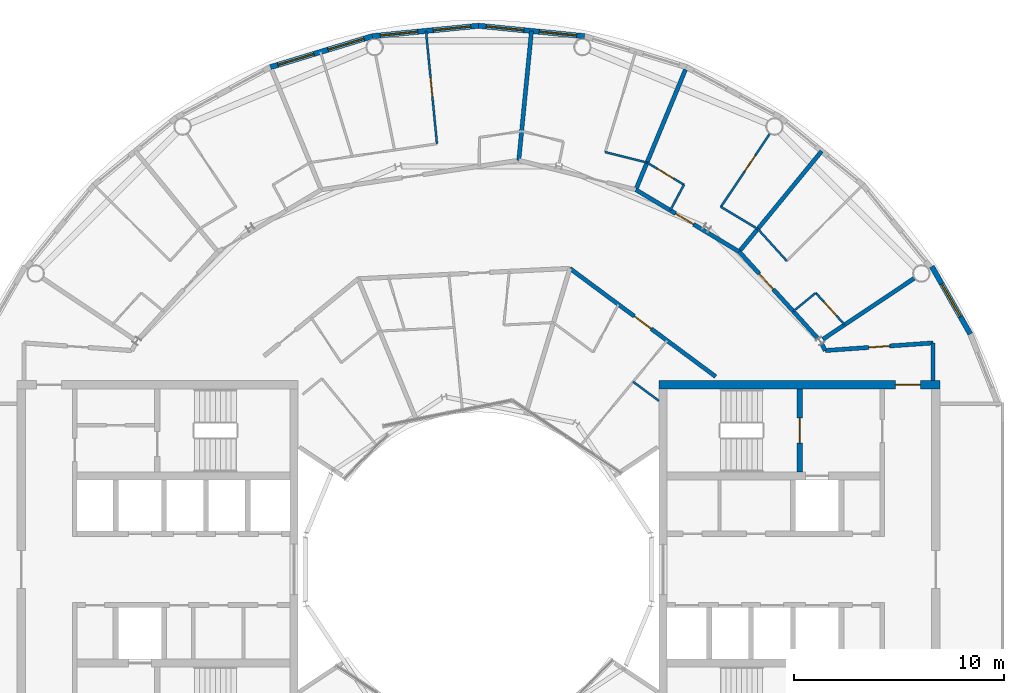
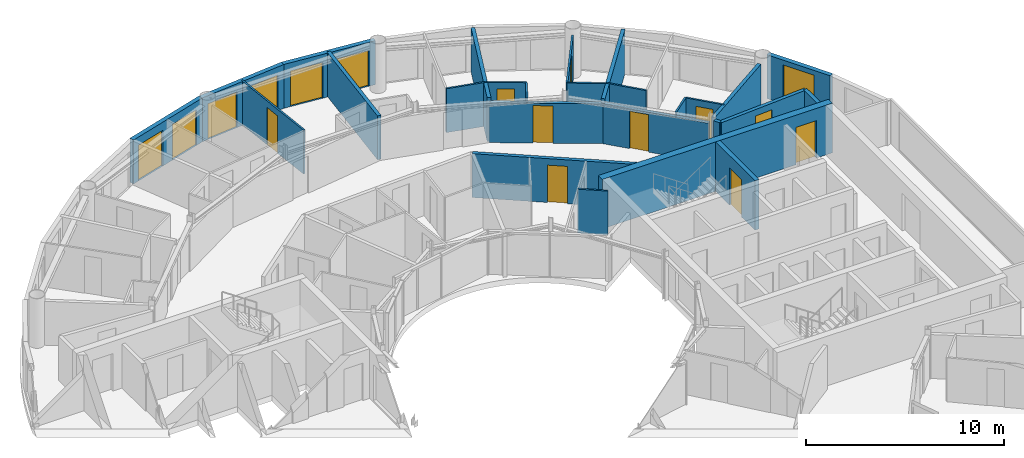
# One storey, part 18 of 22: 26 walls, 16 doors, 1 window, 17 openings.
"""IFC4 building model written with IfcOpenShell, lengths in metres."""

from ifc_helpers import new_model, si_unit, direction, frame, frame_2d, origin, place, context, subcontext, project, spatial, rectangle, extrude, material, layer, layer_set, type_object, element, fill, save


model = new_model("IFC4")

# Units and contexts
model_context = context("Model", 3, precision=1e-05, world=origin(), true_north=direction((0.0, 1.0)))
body_context = subcontext(model_context, "Body", "Model", "MODEL_VIEW")
ifc_project = project(units=[si_unit("LENGTHUNIT", "METRE"), si_unit("AREAUNIT", "SQUARE_METRE"), si_unit("VOLUMEUNIT", "CUBIC_METRE"), si_unit("PLANEANGLEUNIT", "RADIAN"), si_unit("MASSUNIT", "GRAM", prefix="KILO")], contexts=[model_context])

# Site, building, storey
site_placement = place(None, origin())
site = spatial("IfcSite", under=ifc_project, at=site_placement, CompositionType="ELEMENT")
building_placement = place(site_placement, origin())
building = spatial("IfcBuilding", under=site, at=building_placement, Name="Maasbend Ring Residences", CompositionType="ELEMENT")
storey_placement = place(building_placement, frame((0.0, 0.0, 237.10009765625)))
storey = spatial("IfcBuildingStorey", under=building, at=storey_placement, Name="L68", CompositionType="ELEMENT", Elevation=237.10009765625)

# Wall, opening, door
ifc_material_1 = material(Name="Concrete C50/60", Category="concrete")
ifc_layer_1 = layer(ifc_material_1, 0.25)
ifc_layer_set_1 = layer_set([ifc_layer_1], Name="Concrete C50/60")
wall_type_1 = type_object("IfcWallType", Name="CORE WALL 250 C50/60", PredefinedType="SHEAR", material=ifc_layer_set_1)
wall_1_placement = place(storey_placement, frame((15.324951171875, 4.64990234375, 0.0), z_axis=(0.0, 0.0, 1.0), x_axis=(0.0, 1.0, 0.0)))
wall_1 = element("IfcWall", 1, at=wall_1_placement, inside=storey, type_object=wall_type_1, Name="L68 core E wall STEN", PredefinedType="SHEAR", context=body_context, shape_type="SweptSolid", body=[
    extrude(rectangle(XDim=3.9501953125, YDim=0.25, at=frame_2d((1.97509765625, 0.0))), origin(), (0.0, 0.0, 1.0), 3.0498046875),
])
opening_1_placement = place(wall_1_placement, frame((1.375, 0.0, 0.0)))
opening_1 = element("IfcOpeningElement", 2, at=opening_1_placement, cuts=wall_1, Name="Opening D-E6811", PredefinedType="OPENING", context=body_context, shape_type="SweptSolid", body=[
    extrude(rectangle(XDim=1.199951171875, YDim=2.300048828125, at=frame_2d((0.60009765625, 1.14990234375))), frame((0.0, 0.135009765625, 0.0), z_axis=(0.0, -1.0, 0.0), x_axis=(1.0, 0.0, 0.0)), (0.0, 0.0, 1.0), 0.27001953125),
])
ifc_material_2 = material(Name="Steel, powder coated", Category="steel")
door_type_1 = type_object("IfcDoorType", Name="STAIR DOOR 1200 X 2300 FD60", OperationType="NOTDEFINED", PredefinedType="DOOR", material=ifc_material_2)
door_1_placement = place(opening_1_placement, origin())
door_1 = element("IfcDoor", 3, at=door_1_placement, inside=storey, type_object=door_type_1, Name="Stair door ST-E L68", OperationType="SINGLE_SWING_LEFT", OverallHeight=2.300048828125, OverallWidth=1.199951171875, PredefinedType="DOOR", context=body_context, shape_type="SweptSolid", body=[
    extrude(rectangle(XDim=1.199951171875, YDim=2.300048828125, at=frame_2d((0.60009765625, 1.14990234375))), frame((0.0, 0.02490234375, 0.0), z_axis=(0.0, -1.0, 0.0), x_axis=(1.0, 0.0, 0.0)), (0.0, 0.0, 1.0), 0.050048828125),
])
fill(opening_1, door_1)

ifc_material_3 = material(Name="Concrete C50/60", Category="concrete")
ifc_layer_2 = layer(ifc_material_3, 0.39990234375)
ifc_layer_set_2 = layer_set([ifc_layer_2], Name="Concrete C50/60")
wall_type_2 = type_object("IfcWallType", Name="CORE WALL 400 C50/60", PredefinedType="SHEAR", material=ifc_layer_set_2)
wall_2_placement = place(storey_placement, frame((22.0, 8.800048828125, 0.0), z_axis=(0.0, 0.0, 1.0), x_axis=(-1.0, 0.0, 0.0)))
wall_2 = element("IfcWall", 4, at=wall_2_placement, inside=storey, type_object=wall_type_2, Name="L68 core E wall PN", PredefinedType="SHEAR", context=body_context, shape_type="SweptSolid", body=[
    extrude(rectangle(XDim=13.39990234375, YDim=0.39990234375, at=frame_2d((6.699951171875, 0.0))), origin(), (0.0, 0.0, 1.0), 3.0498046875),
])
opening_2_placement = place(wall_2_placement, frame((0.925048828125, 0.0, 0.0)))
opening_2 = element("IfcOpeningElement", 5, at=opening_2_placement, cuts=wall_2, Name="Opening D-E6815", PredefinedType="OPENING", context=body_context, shape_type="SweptSolid", body=[
    extrude(rectangle(XDim=1.199951171875, YDim=2.300048828125, at=frame_2d((0.60009765625, 1.14990234375))), frame((0.0, 0.2099609375, 0.0), z_axis=(0.0, -1.0, 0.0), x_axis=(1.0, 0.0, 0.0)), (0.0, 0.0, 1.0), 0.419921875),
])
ifc_material_4 = material(Name="Steel, powder coated", Category="steel")
door_type_2 = type_object("IfcDoorType", Name="CORRIDOR DOOR 1200 X 2300 FD30S", OperationType="NOTDEFINED", PredefinedType="DOOR", material=ifc_material_4)
door_2_placement = place(opening_2_placement, origin())
door_2 = element("IfcDoor", 6, at=door_2_placement, inside=storey, type_object=door_type_2, Name="Corridor door L68", OperationType="SINGLE_SWING_RIGHT", OverallHeight=2.300048828125, OverallWidth=1.199951171875, PredefinedType="DOOR", context=body_context, shape_type="SweptSolid", body=[
    extrude(rectangle(XDim=1.199951171875, YDim=2.300048828125, at=frame_2d((0.60009765625, 1.14990234375))), frame((0.0, 0.02490234375, 0.0), z_axis=(0.0, -1.0, 0.0), x_axis=(1.0, 0.0, 0.0)), (0.0, 0.0, 1.0), 0.050048828125),
])
fill(opening_2, door_2)

# Wall
ifc_material_5 = material(Name="Concrete C30/37", Category="concrete")
ifc_layer_3 = layer(ifc_material_5, 0.199951171875)
ifc_layer_set_3 = layer_set([ifc_layer_3], Name="Concrete C30/37")
wall_type_3 = type_object("IfcWallType", Name="CORRIDOR WALL 200 CONCRETE", PredefinedType="PARTITIONING", material=ifc_layer_set_3)
wall_3_placement = place(storey_placement, frame((21.675048828125, 9.0, 0.0), z_axis=(0.0, 0.0, 1.0), x_axis=(0.0, 1.0, 0.0)))
element("IfcWall", 7, at=wall_3_placement, inside=storey, type_object=wall_type_3, Name="U-L68-w002", PredefinedType="PARTITIONING", context=body_context, shape_type="SweptSolid", body=[
    extrude(rectangle(XDim=1.800048828125, YDim=0.199951171875, at=frame_2d((0.89990234375, 0.0))), origin(), (0.0, 0.0, 1.0), 2.699951171875),
])

# Wall, opening, door
wall_4_placement = place(storey_placement, frame((16.534912109375, 10.43701171875, 0.0), z_axis=(0.0, 0.0, 1.0), x_axis=(0.997515141784, 0.070452408845, 0.0)))
wall_4 = element("IfcWall", 8, at=wall_4_placement, inside=storey, type_object=wall_type_3, Name="U-L68-w100", PredefinedType="PARTITIONING", context=body_context, shape_type="SweptSolid", body=[
    extrude(rectangle(XDim=5.15283203125, YDim=0.199951171875, at=frame_2d((2.576416015625, 0.0))), origin(), (0.0, 0.0, 1.0), 2.699951171875),
])
opening_3_placement = place(wall_4_placement, frame((2.075927734375, 0.0, 0.0)))
opening_3 = element("IfcOpeningElement", 9, at=opening_3_placement, cuts=wall_4, Name="Opening D-6868", PredefinedType="OPENING", context=body_context, shape_type="SweptSolid", body=[
    extrude(rectangle(XDim=1.0, YDim=2.300048828125, at=frame_2d((0.5, 1.14990234375))), frame((0.0, 0.10986328125, 0.0), z_axis=(0.0, -1.0, 0.0), x_axis=(1.0, 0.0, 0.0)), (0.0, 0.0, 1.0), 0.219970703125),
])
ifc_material_6 = material(Name="Timber, painted", Category="wood")
door_type_3 = type_object("IfcDoorType", Name="ROOM DOOR 1000 X 2300", OperationType="NOTDEFINED", PredefinedType="DOOR", material=ifc_material_6)
door_3_placement = place(opening_3_placement, origin())
door_3 = element("IfcDoor", 10, at=door_3_placement, inside=storey, type_object=door_type_3, Name="D-6868", OperationType="SINGLE_SWING_LEFT", OverallHeight=2.300048828125, OverallWidth=1.0, PredefinedType="DOOR", context=body_context, shape_type="SweptSolid", body=[
    extrude(rectangle(XDim=1.0, YDim=2.300048828125, at=frame_2d((0.5, 1.14990234375))), frame((0.0, 0.02490234375, 0.0), z_axis=(0.0, -1.0, 0.0), x_axis=(1.0, 0.0, 0.0)), (0.0, 0.0, 1.0), 0.050048828125),
])
fill(opening_3, door_3)

wall_5_placement = place(storey_placement, frame((4.35693359375, 14.35302734375, 0.0), z_axis=(0.0, 0.0, 1.0), x_axis=(0.803168959756, -0.595751308923, 0.0)))
wall_5 = element("IfcWall", 11, at=wall_5_placement, inside=storey, type_object=wall_type_3, Name="U-L68-w108", PredefinedType="PARTITIONING", context=body_context, shape_type="SweptSolid", body=[
    extrude(rectangle(XDim=8.659423828125, YDim=0.199951171875, at=frame_2d((4.32958984375, 0.0))), origin(), (0.0, 0.0, 1.0), 2.699951171875),
])
opening_4_placement = place(wall_5_placement, frame((3.8291015625, 0.0, 0.0)))
opening_4 = element("IfcOpeningElement", 12, at=opening_4_placement, cuts=wall_5, Name="Opening D-6821", PredefinedType="OPENING", context=body_context, shape_type="SweptSolid", body=[
    extrude(rectangle(XDim=1.0, YDim=2.300048828125, at=frame_2d((0.5, 1.14990234375))), frame((0.0, 0.10986328125, 0.0), z_axis=(0.0, -1.0, 0.0), x_axis=(1.0, 0.0, 0.0)), (0.0, 0.0, 1.0), 0.219970703125),
])
ifc_material_7 = material(Name="Timber, fire-rated, painted", Category="wood")
door_type_4 = type_object("IfcDoorType", Name="FLAT ENTRANCE DOOR 1000 X 2300 FIRE-RATED", OperationType="NOTDEFINED", PredefinedType="DOOR", material=ifc_material_7)
door_4_placement = place(opening_4_placement, origin())
door_4 = element("IfcDoor", 13, at=door_4_placement, inside=storey, type_object=door_type_4, Name="D-6821", OperationType="SINGLE_SWING_LEFT", OverallHeight=2.300048828125, OverallWidth=1.0, PredefinedType="DOOR", context=body_context, shape_type="SweptSolid", body=[
    extrude(rectangle(XDim=1.0, YDim=2.300048828125, at=frame_2d((0.5, 1.14990234375))), frame((0.0, 0.02490234375, 0.0), z_axis=(0.0, -1.0, 0.0), x_axis=(1.0, 0.0, 0.0)), (0.0, 0.0, 1.0), 0.050048828125),
])
fill(opening_4, door_4)

wall_6_placement = place(storey_placement, frame((7.5009765625, 18.10791015625, 0.0), z_axis=(0.0, 0.0, 1.0), x_axis=(0.857560257806, -0.514383518624, 0.0)))
wall_6 = element("IfcWall", 14, at=wall_6_placement, inside=storey, type_object=wall_type_3, Name="U-L68-w114", PredefinedType="PARTITIONING", context=body_context, shape_type="SweptSolid", body=[
    extrude(rectangle(XDim=5.75830078125, YDim=0.199951171875, at=frame_2d((2.879150390625, 0.0))), origin(), (0.0, 0.0, 1.0), 2.449951171875),
])
opening_5_placement = place(wall_6_placement, frame((2.217041015625, 0.0, 0.0)))
opening_5 = element("IfcOpeningElement", 15, at=opening_5_placement, cuts=wall_6, Name="Opening D-6804", PredefinedType="OPENING", context=body_context, shape_type="SweptSolid", body=[
    extrude(rectangle(XDim=1.0, YDim=2.300048828125, at=frame_2d((0.5, 1.14990234375))), frame((0.0, 0.10986328125, 0.0), z_axis=(0.0, -1.0, 0.0), x_axis=(1.0, 0.0, 0.0)), (0.0, 0.0, 1.0), 0.219970703125),
])
door_5_placement = place(opening_5_placement, origin())
door_5 = element("IfcDoor", 16, at=door_5_placement, inside=storey, type_object=door_type_4, Name="D-6804", OperationType="SINGLE_SWING_LEFT", OverallHeight=2.300048828125, OverallWidth=1.0, PredefinedType="DOOR", context=body_context, shape_type="SweptSolid", body=[
    extrude(rectangle(XDim=1.0, YDim=2.300048828125, at=frame_2d((0.5, 1.14990234375))), frame((0.0, 0.02490234375, 0.0), z_axis=(0.0, -1.0, 0.0), x_axis=(1.0, 0.0, 0.0)), (0.0, 0.0, 1.0), 0.050048828125),
])
fill(opening_5, door_5)

wall_7_placement = place(storey_placement, frame((12.43408203125, 15.15087890625, 0.0), z_axis=(0.0, 0.0, 1.0), x_axis=(0.671619657805, -0.740896102871, 0.0)))
wall_7 = element("IfcWall", 17, at=wall_7_placement, inside=storey, type_object=wall_type_3, Name="U-L68-w115", PredefinedType="PARTITIONING", context=body_context, shape_type="SweptSolid", body=[
    extrude(rectangle(XDim=5.599853515625, YDim=0.199951171875, at=frame_2d((2.7998046875, 0.0))), origin(), (0.0, 0.0, 1.0), 2.449951171875),
])
opening_6_placement = place(wall_7_placement, frame((1.4169921875, 0.0, 0.0)))
opening_6 = element("IfcOpeningElement", 18, at=opening_6_placement, cuts=wall_7, Name="Opening D-6801", PredefinedType="OPENING", context=body_context, shape_type="SweptSolid", body=[
    extrude(rectangle(XDim=1.0, YDim=2.300048828125, at=frame_2d((0.5, 1.14990234375))), frame((0.0, 0.10986328125, 0.0), z_axis=(0.0, -1.0, 0.0), x_axis=(1.0, 0.0, 0.0)), (0.0, 0.0, 1.0), 0.219970703125),
])
door_6_placement = place(opening_6_placement, origin())
door_6 = element("IfcDoor", 19, at=door_6_placement, inside=storey, type_object=door_type_4, Name="D-6801", OperationType="SINGLE_SWING_LEFT", OverallHeight=2.300048828125, OverallWidth=1.0, PredefinedType="DOOR", context=body_context, shape_type="SweptSolid", body=[
    extrude(rectangle(XDim=1.0, YDim=2.300048828125, at=frame_2d((0.5, 1.14990234375))), frame((0.0, 0.02490234375, 0.0), z_axis=(0.0, -1.0, 0.0), x_axis=(1.0, 0.0, 0.0)), (0.0, 0.0, 1.0), 0.050048828125),
])
fill(opening_6, door_6)

# Wall
wall_8_placement = place(storey_placement, frame((16.366943359375, 10.756103515625, 0.0), z_axis=(0.0, 0.0, 1.0), x_axis=(0.465802239822, -0.884888848035, 0.0)))
element("IfcWall", 20, at=wall_8_placement, inside=storey, type_object=wall_type_3, Name="U-L68-w117", PredefinedType="PARTITIONING", context=body_context, shape_type="SweptSolid", body=[
    extrude(rectangle(XDim=0.360595703125, YDim=0.199951171875, at=frame_2d((0.18017578125, 0.0))), origin(), (0.0, 0.0, 1.0), 2.699951171875),
])

# Wall, openings, doors
ifc_material_8 = material(Name="Aluminium clad insulated panel", Category="aluminium")
ifc_layer_4 = layer(ifc_material_8, 0.25)
ifc_layer_set_4 = layer_set([ifc_layer_4], Name="EW-GL")
wall_type_4 = type_object("IfcWallType", Name="EW-GL", PredefinedType="SOLIDWALL", material=ifc_layer_set_4)
wall_9_placement = place(storey_placement, frame((5.05810546875, 25.427001953125, 0.0), z_axis=(0.0, 0.0, 1.0), x_axis=(-0.995187279479, 0.097991217788, 0.0)))
wall_9 = element("IfcWall", 21, at=wall_9_placement, inside=storey, type_object=wall_type_4, Name="External wall N05", PredefinedType="SOLIDWALL", context=body_context, shape_type="SweptSolid", body=[
    extrude(rectangle(XDim=5.08251953125, YDim=0.25, at=frame_2d((2.541259765625, 0.0))), origin(), (0.0, 0.0, 1.0), 2.699951171875),
])
opening_7_placement = place(wall_9_placement, frame((0.37353515625, 0.0, 0.0)))
opening_7 = element("IfcOpeningElement", 22, at=opening_7_placement, cuts=wall_9, Name="Opening D-TR", PredefinedType="OPENING", context=body_context, shape_type="SweptSolid", body=[
    extrude(rectangle(XDim=1.800048828125, YDim=2.199951171875, at=frame_2d((0.89990234375, 1.10009765625))), frame((0.0, 0.135009765625, 0.0), z_axis=(0.0, -1.0, 0.0), x_axis=(1.0, 0.0, 0.0)), (0.0, 0.0, 1.0), 0.27001953125),
])
opening_8_placement = place(wall_9_placement, frame((2.90869140625, 0.0, 0.0)))
opening_8 = element("IfcOpeningElement", 23, at=opening_8_placement, cuts=wall_9, Name="Opening D-TR", PredefinedType="OPENING", context=body_context, shape_type="SweptSolid", body=[
    extrude(rectangle(XDim=1.800048828125, YDim=2.199951171875, at=frame_2d((0.89990234375, 1.10009765625))), frame((0.0, 0.135009765625, 0.0), z_axis=(0.0, -1.0, 0.0), x_axis=(1.0, 0.0, 0.0)), (0.0, 0.0, 1.0), 0.27001953125),
])
ifc_material_9 = material(Name="Aluminium and clear glass", Category="aluminium")
door_type_5 = type_object("IfcDoorType", Name="D-TR", OperationType="DOUBLE_DOOR_SINGLE_SWING", PredefinedType="DOOR", material=ifc_material_9)
door_7_placement = place(opening_7_placement, origin())
door_7 = element("IfcDoor", 24, at=door_7_placement, inside=storey, type_object=door_type_5, Name="Terrace door N09", OperationType="SINGLE_SWING_LEFT", OverallHeight=2.199951171875, OverallWidth=1.800048828125, PredefinedType="DOOR", context=body_context, shape_type="SweptSolid", body=[
    extrude(rectangle(XDim=1.800048828125, YDim=2.199951171875, at=frame_2d((0.89990234375, 1.10009765625))), frame((0.0, 0.02490234375, 0.0), z_axis=(0.0, -1.0, 0.0), x_axis=(1.0, 0.0, 0.0)), (0.0, 0.0, 1.0), 0.050048828125),
])
fill(opening_7, door_7)
door_8_placement = place(opening_8_placement, origin())
door_8 = element("IfcDoor", 25, at=door_8_placement, inside=storey, type_object=door_type_5, Name="Terrace door N10", OperationType="SINGLE_SWING_LEFT", OverallHeight=2.199951171875, OverallWidth=1.800048828125, PredefinedType="DOOR", context=body_context, shape_type="SweptSolid", body=[
    extrude(rectangle(XDim=1.800048828125, YDim=2.199951171875, at=frame_2d((0.89990234375, 1.10009765625))), frame((0.0, 0.02490234375, 0.0), z_axis=(0.0, -1.0, 0.0), x_axis=(1.0, 0.0, 0.0)), (0.0, 0.0, 1.0), 0.050048828125),
])
fill(opening_8, door_8)

wall_10_placement = place(storey_placement, frame((0.0, 25.925048828125, 0.0), z_axis=(0.0, 0.0, 1.0), x_axis=(-0.995187279479, -0.097991217788, 0.0)))
wall_10 = element("IfcWall", 26, at=wall_10_placement, inside=storey, type_object=wall_type_4, Name="External wall N06", PredefinedType="SOLIDWALL", context=body_context, shape_type="SweptSolid", body=[
    extrude(rectangle(XDim=5.08251953125, YDim=0.25, at=frame_2d((2.541259765625, 0.0))), origin(), (0.0, 0.0, 1.0), 2.699951171875),
])
opening_9_placement = place(wall_10_placement, frame((0.37353515625, 0.0, 0.0)))
opening_9 = element("IfcOpeningElement", 27, at=opening_9_placement, cuts=wall_10, Name="Opening D-TR", PredefinedType="OPENING", context=body_context, shape_type="SweptSolid", body=[
    extrude(rectangle(XDim=1.800048828125, YDim=2.199951171875, at=frame_2d((0.89990234375, 1.10009765625))), frame((0.0, 0.135009765625, 0.0), z_axis=(0.0, -1.0, 0.0), x_axis=(1.0, 0.0, 0.0)), (0.0, 0.0, 1.0), 0.27001953125),
])
opening_10_placement = place(wall_10_placement, frame((2.90869140625, 0.0, 0.0)))
opening_10 = element("IfcOpeningElement", 28, at=opening_10_placement, cuts=wall_10, Name="Opening D-TR", PredefinedType="OPENING", context=body_context, shape_type="SweptSolid", body=[
    extrude(rectangle(XDim=1.800048828125, YDim=2.199951171875, at=frame_2d((0.89990234375, 1.10009765625))), frame((0.0, 0.135009765625, 0.0), z_axis=(0.0, -1.0, 0.0), x_axis=(1.0, 0.0, 0.0)), (0.0, 0.0, 1.0), 0.27001953125),
])
door_9_placement = place(opening_9_placement, origin())
door_9 = element("IfcDoor", 29, at=door_9_placement, inside=storey, type_object=door_type_5, Name="Terrace door N11", OperationType="SINGLE_SWING_LEFT", OverallHeight=2.199951171875, OverallWidth=1.800048828125, PredefinedType="DOOR", context=body_context, shape_type="SweptSolid", body=[
    extrude(rectangle(XDim=1.800048828125, YDim=2.199951171875, at=frame_2d((0.89990234375, 1.10009765625))), frame((0.0, 0.02490234375, 0.0), z_axis=(0.0, -1.0, 0.0), x_axis=(1.0, 0.0, 0.0)), (0.0, 0.0, 1.0), 0.050048828125),
])
fill(opening_9, door_9)
door_10_placement = place(opening_10_placement, origin())
door_10 = element("IfcDoor", 30, at=door_10_placement, inside=storey, type_object=door_type_5, Name="Terrace door N12", OperationType="SINGLE_SWING_LEFT", OverallHeight=2.199951171875, OverallWidth=1.800048828125, PredefinedType="DOOR", context=body_context, shape_type="SweptSolid", body=[
    extrude(rectangle(XDim=1.800048828125, YDim=2.199951171875, at=frame_2d((0.89990234375, 1.10009765625))), frame((0.0, 0.02490234375, 0.0), z_axis=(0.0, -1.0, 0.0), x_axis=(1.0, 0.0, 0.0)), (0.0, 0.0, 1.0), 0.050048828125),
])
fill(opening_10, door_10)

wall_11_placement = place(storey_placement, frame((-5.05810546875, 25.427001953125, 0.0), z_axis=(0.0, 0.0, 1.0), x_axis=(-0.956941126395, -0.290282070774, 0.0)))
wall_11 = element("IfcWall", 31, at=wall_11_placement, inside=storey, type_object=wall_type_4, Name="External wall N07", PredefinedType="SOLIDWALL", context=body_context, shape_type="SweptSolid", body=[
    extrude(rectangle(XDim=5.08154296875, YDim=0.25, at=frame_2d((2.540771484375, 0.0))), origin(), (0.0, 0.0, 1.0), 2.699951171875),
])
opening_11_placement = place(wall_11_placement, frame((0.419921875, 0.0, 0.0)))
opening_11 = element("IfcOpeningElement", 32, at=opening_11_placement, cuts=wall_11, Name="Opening D-TR", PredefinedType="OPENING", context=body_context, shape_type="SweptSolid", body=[
    extrude(rectangle(XDim=1.800048828125, YDim=2.199951171875, at=frame_2d((0.89990234375, 1.10009765625))), frame((0.0, 0.135009765625, 0.0), z_axis=(0.0, -1.0, 0.0), x_axis=(1.0, 0.0, 0.0)), (0.0, 0.0, 1.0), 0.27001953125),
])
opening_12_placement = place(wall_11_placement, frame((2.90869140625, 0.0, 0.0)))
opening_12 = element("IfcOpeningElement", 33, at=opening_12_placement, cuts=wall_11, Name="Opening D-TR", PredefinedType="OPENING", context=body_context, shape_type="SweptSolid", body=[
    extrude(rectangle(XDim=1.800048828125, YDim=2.199951171875, at=frame_2d((0.89990234375, 1.10009765625))), frame((0.0, 0.135009765625, 0.0), z_axis=(0.0, -1.0, 0.0), x_axis=(1.0, 0.0, 0.0)), (0.0, 0.0, 1.0), 0.27001953125),
])
door_11_placement = place(opening_11_placement, origin())
door_11 = element("IfcDoor", 34, at=door_11_placement, inside=storey, type_object=door_type_5, Name="Terrace door N13", OperationType="SINGLE_SWING_LEFT", OverallHeight=2.199951171875, OverallWidth=1.800048828125, PredefinedType="DOOR", context=body_context, shape_type="SweptSolid", body=[
    extrude(rectangle(XDim=1.800048828125, YDim=2.199951171875, at=frame_2d((0.89990234375, 1.10009765625))), frame((0.0, 0.02490234375, 0.0), z_axis=(0.0, -1.0, 0.0), x_axis=(1.0, 0.0, 0.0)), (0.0, 0.0, 1.0), 0.050048828125),
])
fill(opening_11, door_11)
door_12_placement = place(opening_12_placement, origin())
door_12 = element("IfcDoor", 35, at=door_12_placement, inside=storey, type_object=door_type_5, Name="Terrace door N14", OperationType="SINGLE_SWING_LEFT", OverallHeight=2.199951171875, OverallWidth=1.800048828125, PredefinedType="DOOR", context=body_context, shape_type="SweptSolid", body=[
    extrude(rectangle(XDim=1.800048828125, YDim=2.199951171875, at=frame_2d((0.89990234375, 1.10009765625))), frame((0.0, 0.02490234375, 0.0), z_axis=(0.0, -1.0, 0.0), x_axis=(1.0, 0.0, 0.0)), (0.0, 0.0, 1.0), 0.050048828125),
])
fill(opening_12, door_12)

# Wall, opening, window
ifc_material_10 = material(Name="Aluminium clad insulated panel", Category="aluminium")
ifc_layer_5 = layer(ifc_material_10, 0.25)
ifc_layer_set_5 = layer_set([ifc_layer_5], Name="EW-HORN")
wall_type_5 = type_object("IfcWallType", Name="EW-HORN", PredefinedType="SOLIDWALL", material=ifc_layer_set_5)
wall_12_placement = place(storey_placement, frame((23.451904296875, 11.22607421875, 0.0), z_axis=(0.0, 0.0, 1.0), x_axis=(-0.495031435966, 0.868875064325, 0.0)))
wall_12 = element("IfcWall", 36, at=wall_12_placement, inside=storey, type_object=wall_type_5, Name="Horn wall 1.2", PredefinedType="SOLIDWALL", context=body_context, shape_type="SweptSolid", body=[
    extrude(rectangle(XDim=3.704833984375, YDim=0.25, at=frame_2d((1.8525390625, 0.0))), origin(), (0.0, 0.0, 1.0), 2.699951171875),
])
opening_13_placement = place(wall_12_placement, frame((0.952392578125, 0.0, 0.300048828125)))
opening_13 = element("IfcOpeningElement", 37, at=opening_13_placement, cuts=wall_12, Name="Opening W-BX", PredefinedType="OPENING", context=body_context, shape_type="SweptSolid", body=[
    extrude(rectangle(XDim=1.800048828125, YDim=2.10009765625, at=frame_2d((0.89990234375, 1.050048828125))), frame((0.0, 0.135009765625, 0.0), z_axis=(0.0, -1.0, 0.0), x_axis=(1.0, 0.0, 0.0)), (0.0, 0.0, 1.0), 0.27001953125),
])
ifc_material_11 = material(Name="Aluminium and clear glass", Category="aluminium")
window_type = type_object("IfcWindowType", Name="W-BX", PartitioningType="DOUBLE_PANEL_VERTICAL", PredefinedType="WINDOW", material=ifc_material_11)
window_placement = place(opening_13_placement, origin())
window = element("IfcWindow", 38, at=window_placement, inside=storey, type_object=window_type, Name="Horn window 1.2", OverallHeight=2.10009765625, OverallWidth=1.800048828125, PartitioningType="SINGLE_PANEL", PredefinedType="WINDOW", context=body_context, shape_type="SweptSolid", body=[
    extrude(rectangle(XDim=1.800048828125, YDim=2.10009765625, at=frame_2d((0.89990234375, 1.050048828125))), frame((0.0, 0.030029296875, 0.0), z_axis=(0.0, -1.0, 0.0), x_axis=(1.0, 0.0, 0.0)), (0.0, 0.0, 1.0), 0.06005859375),
])
fill(opening_13, window)

# Wall, opening, door
ifc_material_12 = material(Name="Gypsum board on steel studs", Category="steel")
ifc_layer_6 = layer(ifc_material_12, 0.10009765625)
ifc_layer_set_6 = layer_set([ifc_layer_6], Name="PARTITION 100 GYPSUM")
wall_type_6 = type_object("IfcWallType", Name="PARTITION 100 GYPSUM", PredefinedType="PARTITIONING", material=ifc_layer_set_6)
wall_13_placement = place(storey_placement, frame((-2.50390625, 25.677978515625, 0.0), z_axis=(0.0, 0.0, 1.0), x_axis=(0.096962417892, -0.995288043491, 0.0)))
wall_13 = element("IfcWall", 39, at=wall_13_placement, inside=storey, type_object=wall_type_6, Name="U-L68-w065", PredefinedType="PARTITIONING", context=body_context, shape_type="SweptSolid", body=[
    extrude(rectangle(XDim=5.4033203125, YDim=0.10009765625, at=frame_2d((2.70166015625, 0.0))), origin(), (0.0, 0.0, 1.0), 2.699951171875),
])
opening_14_placement = place(wall_13_placement, frame((2.251953125, 0.0, 0.0)))
opening_14 = element("IfcOpeningElement", 40, at=opening_14_placement, cuts=wall_13, Name="Opening D-6812", PredefinedType="OPENING", context=body_context, shape_type="SweptSolid", body=[
    extrude(rectangle(XDim=0.89990234375, YDim=2.300048828125, at=frame_2d((0.449951171875, 1.14990234375))), frame((0.0, 0.06005859375, 0.0), z_axis=(0.0, -1.0, 0.0), x_axis=(1.0, 0.0, 0.0)), (0.0, 0.0, 1.0), 0.1201171875),
])
ifc_material_13 = material(Name="Timber, painted", Category="wood")
door_type_6 = type_object("IfcDoorType", Name="INTERNAL DOOR 900 X 2300", OperationType="NOTDEFINED", PredefinedType="DOOR", material=ifc_material_13)
door_13_placement = place(opening_14_placement, origin())
door_13 = element("IfcDoor", 41, at=door_13_placement, inside=storey, type_object=door_type_6, Name="D-6812", OperationType="SINGLE_SWING_LEFT", OverallHeight=2.300048828125, OverallWidth=0.89990234375, PredefinedType="DOOR", context=body_context, shape_type="SweptSolid", body=[
    extrude(rectangle(XDim=0.89990234375, YDim=2.300048828125, at=frame_2d((0.449951171875, 1.14990234375))), frame((0.0, 0.02490234375, 0.0), z_axis=(0.0, -1.0, 0.0), x_axis=(1.0, 0.0, 0.0)), (0.0, 0.0, 1.0), 0.050048828125),
])
fill(opening_14, door_13)

# Wall
wall_14_placement = place(storey_placement, frame((9.14501953125, 17.1220703125, 0.0), z_axis=(0.0, 0.0, 1.0), x_axis=(0.471072596947, 0.882094444153, 0.0)))
element("IfcWall", 42, at=wall_14_placement, inside=storey, type_object=wall_type_6, Name="U-L68-w085", PredefinedType="PARTITIONING", context=body_context, shape_type="SweptSolid", body=[
    extrude(rectangle(XDim=1.386474609375, YDim=0.10009765625, at=frame_2d((0.693359375, 0.0))), origin(), (0.0, 0.0, 1.0), 2.699951171875),
])

# Wall, opening, door
wall_15_placement = place(storey_placement, frame((11.56005859375, 17.2890625, 0.0), z_axis=(0.0, 0.0, 1.0), x_axis=(0.555959489687, 0.831209387475, 0.0)))
wall_15 = element("IfcWall", 43, at=wall_15_placement, inside=storey, type_object=wall_type_6, Name="U-L68-w087", PredefinedType="PARTITIONING", context=body_context, shape_type="SweptSolid", body=[
    extrude(rectangle(XDim=4.203369140625, YDim=0.10009765625, at=frame_2d((2.1015625, 0.0))), origin(), (0.0, 0.0, 1.0), 2.699951171875),
])
opening_15_placement = place(wall_15_placement, frame((2.051025390625, 0.0, 0.0)))
opening_15 = element("IfcOpeningElement", 44, at=opening_15_placement, cuts=wall_15, Name="Opening D-6806", PredefinedType="OPENING", context=body_context, shape_type="SweptSolid", body=[
    extrude(rectangle(XDim=0.89990234375, YDim=2.300048828125, at=frame_2d((0.449951171875, 1.14990234375))), frame((0.0, 0.06005859375, 0.0), z_axis=(0.0, -1.0, 0.0), x_axis=(1.0, 0.0, 0.0)), (0.0, 0.0, 1.0), 0.1201171875),
])
door_14_placement = place(opening_15_placement, origin())
door_14 = element("IfcDoor", 45, at=door_14_placement, inside=storey, type_object=door_type_6, Name="D-6806", OperationType="SINGLE_SWING_RIGHT", OverallHeight=2.300048828125, OverallWidth=0.89990234375, PredefinedType="DOOR", context=body_context, shape_type="SweptSolid", body=[
    extrude(rectangle(XDim=0.89990234375, YDim=2.300048828125, at=frame_2d((0.449951171875, 1.14990234375))), frame((0.0, 0.02490234375, 0.0), z_axis=(0.0, -1.0, 0.0), x_axis=(1.0, 0.0, 0.0)), (0.0, 0.0, 1.0), 0.050048828125),
])
fill(opening_15, door_14)

# Walls
wall_16_placement = place(storey_placement, frame((15.010986328125, 12.30810546875, 0.0), z_axis=(0.0, 0.0, 1.0), x_axis=(0.773321325714, 0.634014295735, 0.0)))
element("IfcWall", 46, at=wall_16_placement, inside=storey, type_object=wall_type_6, Name="U-L68-w092", PredefinedType="PARTITIONING", context=body_context, shape_type="SweptSolid", body=[
    extrude(rectangle(XDim=1.38623046875, YDim=0.10009765625, at=frame_2d((0.693115234375, 0.0))), origin(), (0.0, 0.0, 1.0), 2.699951171875),
])
wall_17_placement = place(storey_placement, frame((7.3740234375, 8.948974609375, 0.0), z_axis=(0.0, 0.0, 1.0), x_axis=(0.80332760487, -0.595537370157, 0.0)))
element("IfcWall", 47, at=wall_17_placement, inside=storey, type_object=wall_type_6, Name="U-L68-w104", PredefinedType="PARTITIONING", context=body_context, shape_type="SweptSolid", body=[
    extrude(rectangle(XDim=1.526123046875, YDim=0.10009765625, at=frame_2d((0.76318359375, 0.0))), origin(), (0.0, 0.0, 1.0), 2.699951171875),
])
wall_18_placement = place(storey_placement, frame((6.031982421875, 19.904052734375, 0.0), z_axis=(0.0, 0.0, 1.0), x_axis=(0.970023493589, -0.243011155889, 0.0)))
element("IfcWall", 48, at=wall_18_placement, inside=storey, type_object=wall_type_6, Name="U-L68-w125", PredefinedType="PARTITIONING", context=body_context, shape_type="SweptSolid", body=[
    extrude(rectangle(XDim=2.053466796875, YDim=0.10009765625, at=frame_2d((1.02685546875, 0.0))), origin(), (0.0, 0.0, 1.0), 2.699951171875),
])

# Wall, opening, door
wall_19_placement = place(storey_placement, frame((8.035888671875, 19.40087890625, 0.0), z_axis=(0.0, 0.0, 1.0), x_axis=(0.857838403859, -0.513919519832, 0.0)))
wall_19 = element("IfcWall", 49, at=wall_19_placement, inside=storey, type_object=wall_type_6, Name="U-L68-w126", PredefinedType="PARTITIONING", context=body_context, shape_type="SweptSolid", body=[
    extrude(rectangle(XDim=2.056396484375, YDim=0.10009765625, at=frame_2d((1.0283203125, 0.0))), origin(), (0.0, 0.0, 1.0), 2.699951171875),
])
opening_16_placement = place(wall_19_placement, frame((0.576904296875, 0.0, 0.0)))
opening_16 = element("IfcOpeningElement", 50, at=opening_16_placement, cuts=wall_19, Name="Opening D-6805", PredefinedType="OPENING", context=body_context, shape_type="SweptSolid", body=[
    extrude(rectangle(XDim=0.89990234375, YDim=2.300048828125, at=frame_2d((0.449951171875, 1.14990234375))), frame((0.0, 0.06005859375, 0.0), z_axis=(0.0, -1.0, 0.0), x_axis=(1.0, 0.0, 0.0)), (0.0, 0.0, 1.0), 0.1201171875),
])
door_15_placement = place(opening_16_placement, origin())
door_15 = element("IfcDoor", 51, at=door_15_placement, inside=storey, type_object=door_type_6, Name="D-6805", OperationType="SINGLE_SWING_LEFT", OverallHeight=2.300048828125, OverallWidth=0.89990234375, PredefinedType="DOOR", context=body_context, shape_type="SweptSolid", body=[
    extrude(rectangle(XDim=0.89990234375, YDim=2.300048828125, at=frame_2d((0.449951171875, 1.14990234375))), frame((0.0, 0.02490234375, 0.0), z_axis=(0.0, -1.0, 0.0), x_axis=(1.0, 0.0, 0.0)), (0.0, 0.0, 1.0), 0.050048828125),
])
fill(opening_16, door_15)

# Walls
wall_20_placement = place(storey_placement, frame((11.56005859375, 17.2890625, 0.0), z_axis=(0.0, 0.0, 1.0), x_axis=(0.857713062192, -0.514128683254, 0.0)))
element("IfcWall", 52, at=wall_20_placement, inside=storey, type_object=wall_type_6, Name="U-L68-w127", PredefinedType="PARTITIONING", context=body_context, shape_type="SweptSolid", body=[
    extrude(rectangle(XDim=2.05419921875, YDim=0.10009765625, at=frame_2d((1.027099609375, 0.0))), origin(), (0.0, 0.0, 1.0), 2.699951171875),
])
wall_21_placement = place(storey_placement, frame((13.321044921875, 16.23291015625, 0.0), z_axis=(0.0, 0.0, 1.0), x_axis=(0.671678456097, -0.74084279818, 0.0)))
element("IfcWall", 53, at=wall_21_placement, inside=storey, type_object=wall_type_6, Name="U-L68-w128", PredefinedType="PARTITIONING", context=body_context, shape_type="SweptSolid", body=[
    extrude(rectangle(XDim=2.054443359375, YDim=0.10009765625, at=frame_2d((1.02734375, 0.0))), origin(), (0.0, 0.0, 1.0), 2.699951171875),
])

# Wall, opening, door
wall_22_placement = place(storey_placement, frame((16.0810546875, 13.18896484375, 0.0), z_axis=(0.0, 0.0, 1.0), x_axis=(0.671678456097, -0.74084279818, 0.0)))
wall_22 = element("IfcWall", 54, at=wall_22_placement, inside=storey, type_object=wall_type_6, Name="U-L68-w129", PredefinedType="PARTITIONING", context=body_context, shape_type="SweptSolid", body=[
    extrude(rectangle(XDim=2.054443359375, YDim=0.10009765625, at=frame_2d((1.02734375, 0.0))), origin(), (0.0, 0.0, 1.0), 2.699951171875),
])
opening_17_placement = place(wall_22_placement, frame((0.576904296875, 0.0, 0.0)))
opening_17 = element("IfcOpeningElement", 55, at=opening_17_placement, cuts=wall_22, Name="Opening D-6802", PredefinedType="OPENING", context=body_context, shape_type="SweptSolid", body=[
    extrude(rectangle(XDim=0.89990234375, YDim=2.300048828125, at=frame_2d((0.449951171875, 1.14990234375))), frame((0.0, 0.06005859375, 0.0), z_axis=(0.0, -1.0, 0.0), x_axis=(1.0, 0.0, 0.0)), (0.0, 0.0, 1.0), 0.1201171875),
])
door_16_placement = place(opening_17_placement, origin())
door_16 = element("IfcDoor", 56, at=door_16_placement, inside=storey, type_object=door_type_6, Name="D-6802", OperationType="SINGLE_SWING_RIGHT", OverallHeight=2.300048828125, OverallWidth=0.89990234375, PredefinedType="DOOR", context=body_context, shape_type="SweptSolid", body=[
    extrude(rectangle(XDim=0.89990234375, YDim=2.300048828125, at=frame_2d((0.449951171875, 1.14990234375))), frame((0.0, 0.02490234375, 0.0), z_axis=(0.0, -1.0, 0.0), x_axis=(1.0, 0.0, 0.0)), (0.0, 0.0, 1.0), 0.050048828125),
])
fill(opening_17, door_16)

# Walls
ifc_material_14 = material(Name="Concrete C30/37", Category="concrete")
ifc_layer_7 = layer(ifc_material_14, 0.199951171875)
ifc_layer_set_7 = layer_set([ifc_layer_7], Name="Concrete C30/37")
wall_type_7 = type_object("IfcWallType", Name="PARTY WALL 200 CONCRETE", PredefinedType="PARTITIONING", material=ifc_layer_set_7)
wall_23_placement = place(storey_placement, frame((7.5009765625, 18.10791015625, 0.0), z_axis=(0.0, 0.0, 1.0), x_axis=(0.382282230395, 0.924045613768, 0.0)))
element("IfcWall", 57, at=wall_23_placement, inside=storey, type_object=wall_type_7, Name="U-L68-w039", PredefinedType="PARTITIONING", context=body_context, shape_type="SweptSolid", body=[
    extrude(rectangle(XDim=6.199951171875, YDim=0.199951171875, at=frame_2d((3.10009765625, 0.0))), origin(), (0.0, 0.0, 1.0), 2.699951171875),
])
wall_24_placement = place(storey_placement, frame((1.9208984375, 19.506103515625, 0.0), z_axis=(0.0, 0.0, 1.0), x_axis=(0.097936222995, 0.995192693013, 0.0)))
element("IfcWall", 58, at=wall_24_placement, inside=storey, type_object=wall_type_7, Name="U-L68-w070", PredefinedType="PARTITIONING", context=body_context, shape_type="SweptSolid", body=[
    extrude(rectangle(XDim=6.19970703125, YDim=0.199951171875, at=frame_2d((3.099853515625, 0.0))), origin(), (0.0, 0.0, 1.0), 2.699951171875),
])
wall_25_placement = place(storey_placement, frame((12.431884765625, 15.153076171875, 0.0), z_axis=(0.0, 0.0, 1.0), x_axis=(0.634356436091, 0.773040692324, 0.0)))
element("IfcWall", 59, at=wall_25_placement, inside=storey, type_object=wall_type_7, Name="U-L68-w089", PredefinedType="PARTITIONING", context=body_context, shape_type="SweptSolid", body=[
    extrude(rectangle(XDim=6.2001953125, YDim=0.199951171875, at=frame_2d((3.10009765625, 0.0))), origin(), (0.0, 0.0, 1.0), 2.699951171875),
])
wall_26_placement = place(storey_placement, frame((16.422119140625, 10.971923828125, 0.0), z_axis=(0.0, 0.0, 1.0), x_axis=(0.831406006746, 0.555665413668, 0.0)))
element("IfcWall", 60, at=wall_26_placement, inside=storey, type_object=wall_type_7, Name="U-L68-w095", PredefinedType="PARTITIONING", context=body_context, shape_type="SweptSolid", body=[
    extrude(rectangle(XDim=5.251220703125, YDim=0.199951171875, at=frame_2d((2.62548828125, 0.0))), origin(), (0.0, 0.0, 1.0), 2.699951171875),
])

save(model, "model.ifc")
